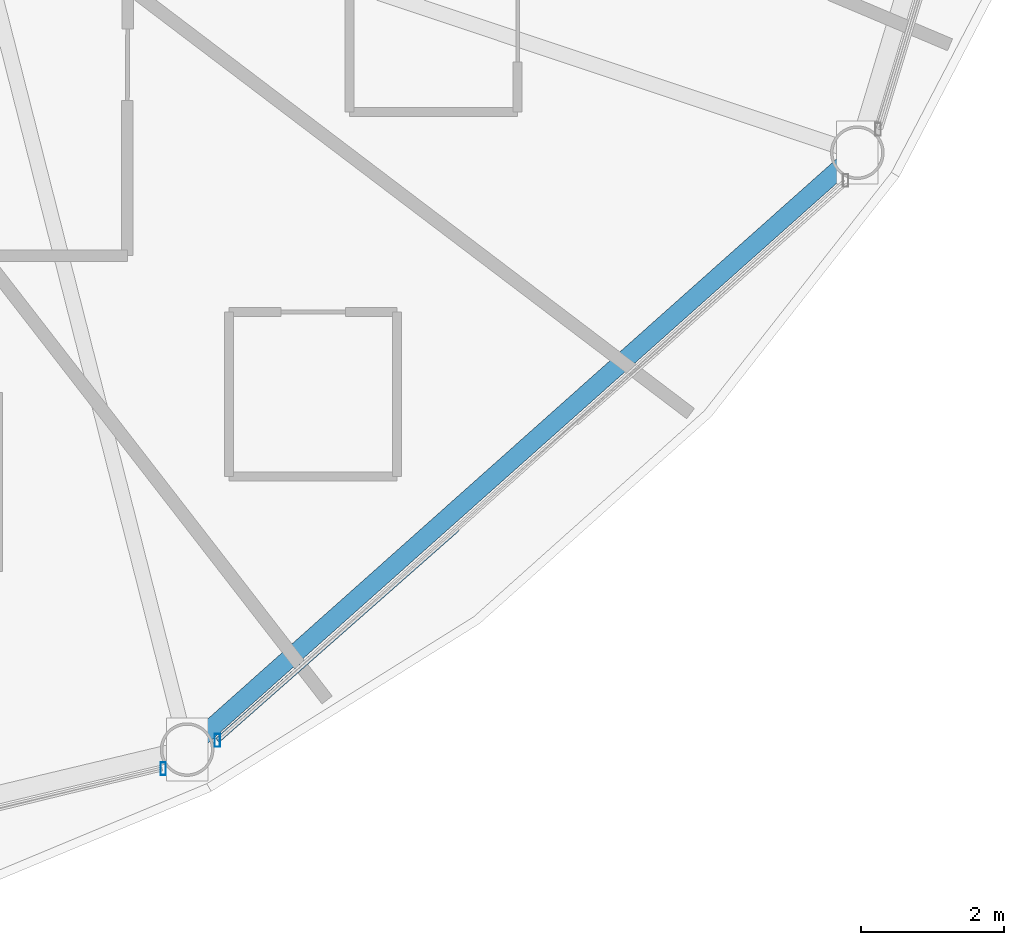
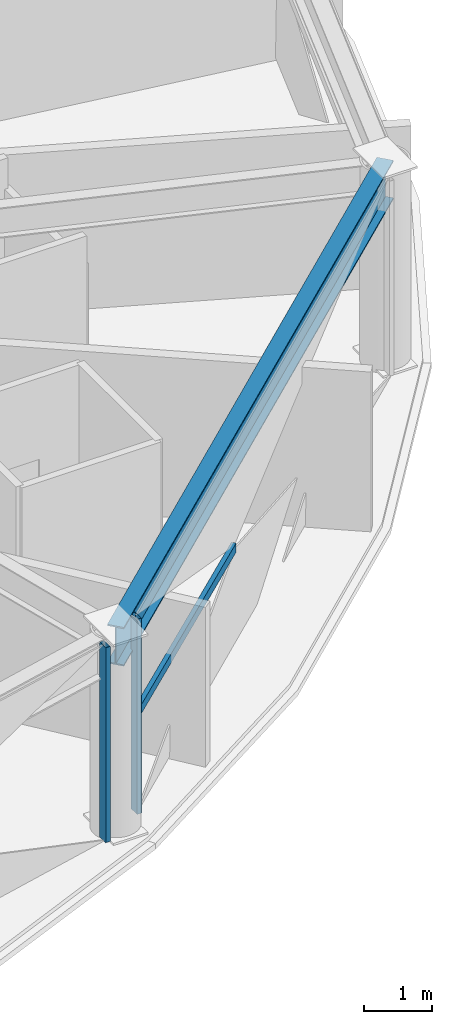
# One storey, part 9 of 32: 3 members, 1 beam, 2 elements without a shape of their own.
"""IFC4 building model written with IfcOpenShell, lengths in metres."""

import ifcopenshell
import ifcopenshell.guid

model = None  # the IFC model being written
_history = None  # IfcOwnerHistory: only IFC2X3 demands one
_inside = {}  # id of a spatial element -> (the spatial element, [elements in it])
_under = {}  # id of a project, library or spatial element -> (it, [spatial elements below it])
_declared = {}  # id of a project -> (the project, [libraries it declares])
_typed = {}  # id of a type object -> (the type object, [elements of that type])
_made_of = {}  # id of a material, layer set ... -> (it, [elements and type objects made of it])


def new_model(schema):
    """Start an empty IFC model of exactly this schema.

    Asked for "IFC4X3", IfcOpenShell would pick the latest addendum, in which some entities
    have other attributes; the version numbers below select the first issue.
    IFC2X3 requires an IfcOwnerHistory on every rooted entity: one is made here for all.
    """
    global model, _history
    if schema == "IFC4X3":
        model = ifcopenshell.file(schema_version=(4, 3, 0, 0))
    else:
        model = ifcopenshell.file(schema=schema)
    _inside.clear()
    _under.clear()
    _declared.clear()
    _typed.clear()
    _made_of.clear()
    _history = None
    if model.schema == "IFC2X3":
        org = make("IfcOrganization", Name="unknown")
        user = make(
            "IfcPersonAndOrganization",
            ThePerson=make("IfcPerson", FamilyName="unknown"),
            TheOrganization=org,
        )
        app = make(
            "IfcApplication",
            ApplicationDeveloper=org,
            Version="unknown",
            ApplicationFullName="unknown",
            ApplicationIdentifier="unknown",
        )
        _history = make(
            "IfcOwnerHistory",
            OwningUser=user,
            OwningApplication=app,
            ChangeAction="ADDED",
            CreationDate=0,
        )
    return model


def make(cls, **values):
    """One entity of the class cls with the attributes given. An attribute that is None is left unset."""
    return model.create_entity(
        cls, **{name: value for name, value in values.items() if value is not None}
    )


def rooted(cls, **values):
    """An entity with a GlobalId (a new one), such as an element, a storey or a relation."""
    return make(cls, GlobalId=ifcopenshell.guid.new(), OwnerHistory=_history, **values)


def si_unit(unit_type, name, prefix=None):
    """IfcSIUnit, for example si_unit("LENGTHUNIT", "METRE", prefix="MILLI")."""
    return make("IfcSIUnit", UnitType=unit_type, Prefix=prefix, Name=name)


def assignment(units):
    """IfcUnitAssignment: the units of a project."""
    return None if units is None else make("IfcUnitAssignment", Units=units)


def point(xyz):
    """IfcCartesianPoint."""
    return None if xyz is None else make("IfcCartesianPoint", Coordinates=xyz)


def direction(xyz):
    """IfcDirection."""
    return None if xyz is None else make("IfcDirection", DirectionRatios=xyz)


def frame(location, z_axis=None, x_axis=None):
    """IfcAxis2Placement3D, a coordinate frame: its origin and axes. An axis left out is left unset."""
    return make(
        "IfcAxis2Placement3D",
        Location=point(location),
        Axis=direction(z_axis),
        RefDirection=direction(x_axis),
    )


def frame_2d(location, x_axis=None):
    """IfcAxis2Placement2D, a coordinate frame in the plane: its origin and x axis."""
    return make(
        "IfcAxis2Placement2D", Location=point(location), RefDirection=direction(x_axis)
    )


def origin():
    """The frame at (0, 0, 0) with its axes left unset."""
    return frame((0.0, 0.0, 0.0))


def origin_2d():
    """The frame at (0, 0) in the plane with its x axis left unset."""
    return frame_2d((0.0, 0.0))


def place(relative_to, where):
    """IfcLocalPlacement: puts the frame where relative to a parent placement (None: the world)."""
    return make(
        "IfcLocalPlacement", PlacementRelTo=relative_to, RelativePlacement=where
    )


def context(
    kind, dimensions, precision=None, world=None, true_north=None, identifier=None
):
    """IfcGeometricRepresentationContext, for example the 3D "Model" context."""
    return make(
        "IfcGeometricRepresentationContext",
        ContextIdentifier=identifier,
        ContextType=kind,
        CoordinateSpaceDimension=dimensions,
        Precision=precision,
        WorldCoordinateSystem=world,
        TrueNorth=true_north,
    )


def subcontext(parent, identifier, kind, view, scale=None):
    """IfcGeometricRepresentationSubContext, for example "Body" below "Model"."""
    return make(
        "IfcGeometricRepresentationSubContext",
        ContextIdentifier=identifier,
        ContextType=kind,
        ParentContext=parent,
        TargetScale=scale,
        TargetView=view,
    )


def project(units=None, contexts=None):
    """IfcProject with its units and contexts."""
    return rooted(
        "IfcProject",
        Name="project",
        RepresentationContexts=contexts,
        UnitsInContext=assignment(units),
    )


def spatial(cls, under=None, at=None, **own):
    """A site, building, storey or space (cls), placed at a placement, below another one or the project."""
    s = rooted(cls, ObjectPlacement=at, **own)
    if under is not None:
        _under.setdefault(under.id(), (under, []))[1].append(s)
    return s


def profile(cls, at=None, kind="AREA", **sizes):
    """A parametric profile (cls). Its sizes go by their IFC names, for example OverallWidth=200.0."""
    return make(cls, ProfileType=kind, Position=at, **sizes)


def hollow_rectangle(**sizes):
    """IfcRectangleHollowProfileDef."""
    return profile("IfcRectangleHollowProfileDef", **sizes)


def i_section(**sizes):
    """IfcIShapeProfileDef."""
    return profile("IfcIShapeProfileDef", **sizes)


def extrude(swept, where, along, depth):
    """IfcExtrudedAreaSolid: the profile swept, set in the frame where, extruded along a direction by depth."""
    return make(
        "IfcExtrudedAreaSolid",
        SweptArea=swept,
        Position=where,
        ExtrudedDirection=direction(along),
        Depth=depth,
    )


def shape(context_of_items, identifier, shape_type, items):
    """IfcShapeRepresentation: the items that make up one representation, for example the "Body"."""
    return make(
        "IfcShapeRepresentation",
        ContextOfItems=context_of_items,
        RepresentationIdentifier=identifier,
        RepresentationType=shape_type,
        Items=items,
    )


def material(Name=None, Category=None):
    """IfcMaterial."""
    return make("IfcMaterial", Name=Name, Category=Category)


def layer(
    of_material, thickness, ventilated=None, Name=None, Category=None, Priority=None
):
    """IfcMaterialLayer: one layer of a wall or slab, of a material (None: an air gap)."""
    return make(
        "IfcMaterialLayer",
        Material=of_material,
        LayerThickness=thickness,
        IsVentilated=ventilated,
        Name=Name,
        Category=Category,
        Priority=Priority,
    )


def layer_set(layers, Name=None):
    """IfcMaterialLayerSet."""
    return make("IfcMaterialLayerSet", MaterialLayers=layers, LayerSetName=Name)


def material_profile(
    of_material, cross_section, Name=None, Category=None, Priority=None
):
    """IfcMaterialProfile: a cross section and its material."""
    return make(
        "IfcMaterialProfile",
        Name=Name,
        Material=of_material,
        Profile=cross_section,
        Priority=Priority,
        Category=Category,
    )


def profile_set(profiles, Name=None, composite=None):
    """IfcMaterialProfileSet."""
    return make(
        "IfcMaterialProfileSet",
        Name=Name,
        MaterialProfiles=profiles,
        CompositeProfile=composite,
    )


def made_of(thing, what):
    """Note that an element or type object is made of a material, layer set ...; save() writes the relation."""
    if what is not None:
        _made_of.setdefault(what.id(), (what, []))[1].append(thing)
    return thing


def type_object(cls, material=None, **own):
    """A type object (cls), such as IfcWallType, which elements share."""
    return made_of(rooted(cls, **own), material)


def element(
    cls,
    number,
    at=None,
    inside=None,
    cuts=None,
    type_object=None,
    material=None,
    context=None,
    identifier="Body",
    shape_type=None,
    held_by="IfcProductDefinitionShape",
    body=None,
    shapes=None,
    **own,
):
    """One element of the class cls, such as IfcWall. Its Tag is "e" and its number.

    at: its placement. inside: the storey or other place that contains it. cuts: it is an
    opening in that element (IfcRelVoidsElement). A single representation is given by context,
    identifier, shape_type and body (its items); several are given by shapes. held_by: the class
    of the entity that holds the representations. save() writes the other relations.
    """
    e = rooted(cls, Tag="e%d" % number, ObjectPlacement=at, **own)
    if body is not None:
        shapes = [shape(context, identifier, shape_type, body)]
    if shapes is not None:
        e.Representation = make(held_by, Representations=shapes)
    if inside is not None:
        _inside.setdefault(inside.id(), (inside, []))[1].append(e)
    if cuts is not None:
        rooted(
            "IfcRelVoidsElement", RelatingBuildingElement=cuts, RelatedOpeningElement=e
        )
    if type_object is not None:
        _typed.setdefault(type_object.id(), (type_object, []))[1].append(e)
    return made_of(e, material)


def aggregate(whole, parts):
    """IfcRelAggregates: a whole, such as a stair, and the parts it consists of."""
    return rooted("IfcRelAggregates", RelatingObject=whole, RelatedObjects=parts)


def save(model, path):
    """Write the relations noted so far, then the file.

    IfcRelAggregates (storeys below a building ...), IfcRelContainedInSpatialStructure (elements
    in a storey), IfcRelDefinesByType, IfcRelAssociatesMaterial and IfcRelDeclares: one each for
    every whole, place, type object, material and project.
    """
    for whole, parts in _under.values():
        aggregate(whole, parts)
    for where, things in _inside.values():
        rooted(
            "IfcRelContainedInSpatialStructure",
            RelatedElements=things,
            RelatingStructure=where,
        )
    for kind, things in _typed.values():
        rooted("IfcRelDefinesByType", RelatedObjects=things, RelatingType=kind)
    for what, things in _made_of.values():
        rooted("IfcRelAssociatesMaterial", RelatedObjects=things, RelatingMaterial=what)
    for by, libraries in _declared.values():
        rooted("IfcRelDeclares", RelatingContext=by, RelatedDefinitions=libraries)
    model.write(path)


model = new_model("IFC4")

# Units and contexts
model_context = context("Model", 3, precision=1e-05, world=origin(), true_north=direction((0.0, 1.0)))
body_context = subcontext(model_context, "Body", "Model", "MODEL_VIEW")
ifc_project = project(units=[si_unit("LENGTHUNIT", "METRE"), si_unit("AREAUNIT", "SQUARE_METRE"), si_unit("VOLUMEUNIT", "CUBIC_METRE"), si_unit("PLANEANGLEUNIT", "RADIAN"), si_unit("MASSUNIT", "GRAM", prefix="KILO")], contexts=[model_context])

# Site, building, storey
site_placement = place(None, origin())
site = spatial("IfcSite", under=ifc_project, at=site_placement, CompositionType="ELEMENT")
building_placement = place(site_placement, origin())
building = spatial("IfcBuilding", under=site, at=building_placement, Name="Vantalir Tower", CompositionType="ELEMENT")
storey_placement = place(building_placement, frame((0.0, 0.0, 108.449951171875)))
storey = spatial("IfcBuildingStorey", under=building, at=storey_placement, Name="L26", CompositionType="ELEMENT", Elevation=108.449951171875)

# Beam
ifc_material_1 = material(Name="Steel S460", Category="steel")
ifc_material_profile_1 = material_profile(ifc_material_1, i_section(OverallWidth=0.256103515625, OverallDepth=0.693115234375, WebThickness=0.014404296875, FlangeThickness=0.023681640625, at=origin_2d()), Name="Steel S460")
ifc_profile_set_1 = profile_set([ifc_material_profile_1], Name="Steel S460")
beam_type = type_object("IfcBeamType", Name="BM-RG-686x254", PredefinedType="USERDEFINED", material=ifc_profile_set_1)
beam_placement = place(storey_placement, frame((44.2939453125, 5.264892578125, 3.22314453125), z_axis=(0.746784993974, 0.665065540211, 0.0), x_axis=(-0.665065540211, 0.746784993974, 0.0)))
element("IfcBeam", 1, at=beam_placement, inside=storey, type_object=beam_type, Name="L26 Circumferential Ring Girder 11", ObjectType="GIRDER", PredefinedType="USERDEFINED", context=body_context, shape_type="SweptSolid", body=[
    extrude(i_section(OverallWidth=0.256103515625, OverallDepth=0.693115234375, WebThickness=0.014404296875, FlangeThickness=0.023681640625, at=origin_2d()), origin(), (0.0, 0.0, 1.0), 12.541748046875),
])

# Curtain wall, member
ifc_material_2 = material(Name="Champagne-silver PVDF aluminium and double-silver Low-E glass", Category="aluminium")
ifc_layer = layer(ifc_material_2, 0.199951171875)
ifc_layer_set = layer_set([ifc_layer], Name="Champagne-silver PVDF aluminium and double-silver Low-E glass")
curtain_wall_type = type_object("IfcCurtainWallType", Name="CW-DIAMOND-Z2", PredefinedType="USERDEFINED", material=ifc_layer_set)
curtain_wall_1_placement = place(storey_placement, origin())
curtain_wall_1 = element("IfcCurtainWall", 2, at=curtain_wall_1_placement, inside=storey, type_object=curtain_wall_type, Name="L26 Quilted Pyramid-Diamond Curtain Wall S10", ObjectType="UNITISED CURTAIN WALL", PredefinedType="USERDEFINED")
ifc_material_3 = material(Name="Champagne-silver PVDF aluminium 6063-T6", Category="aluminium")
ifc_material_profile_2 = material_profile(ifc_material_3, hollow_rectangle(XDim=0.074951171875, YDim=0.179931640625, WallThickness=0.00390625, at=origin_2d()), Name="Champagne-silver PVDF aluminium 6063-T6")
ifc_profile_set_2 = profile_set([ifc_material_profile_2], Name="Champagne-silver PVDF aluminium 6063-T6")
member_type_1 = type_object("IfcMemberType", Name="CWM-180x75", PredefinedType="MULLION", material=ifc_profile_set_2)
member_1_placement = place(storey_placement, frame((43.9609375, 4.998046875, 0.045166015625), z_axis=(0.0, 0.0, 1.0), x_axis=(1.0, 0.0, 0.0)))
member_1 = element("IfcMember", 3, at=member_1_placement, type_object=member_type_1, Name="CW-L26-S10 Mullion 2", PredefinedType="MULLION", context=body_context, shape_type="SweptSolid", body=[
    extrude(hollow_rectangle(XDim=0.074951171875, YDim=0.179931640625, WallThickness=0.00390625, at=origin_2d()), origin(), (0.0, 0.0, 1.0), 3.47998046875),
])
aggregate(curtain_wall_1, [member_1])

# Curtain wall, members
curtain_wall_2_placement = place(storey_placement, origin())
curtain_wall_2 = element("IfcCurtainWall", 4, at=curtain_wall_2_placement, inside=storey, type_object=curtain_wall_type, Name="L26 Quilted Pyramid-Diamond Curtain Wall S11", ObjectType="UNITISED CURTAIN WALL", PredefinedType="USERDEFINED")
member_2_placement = place(storey_placement, frame((44.717041015625, 5.39306640625, 0.045166015625), z_axis=(0.0, 0.0, 1.0), x_axis=(1.0, 0.0, 0.0)))
member_2 = element("IfcMember", 5, at=member_2_placement, type_object=member_type_1, Name="CW-L26-S11 Mullion 1", PredefinedType="MULLION", context=body_context, shape_type="SweptSolid", body=[
    extrude(hollow_rectangle(XDim=0.074951171875, YDim=0.179931640625, WallThickness=0.00390625, at=origin_2d()), origin(), (0.0, 0.0, 1.0), 3.47998046875),
])
ifc_material_profile_3 = material_profile(ifc_material_3, hollow_rectangle(XDim=0.074951171875, YDim=0.159912109375, WallThickness=0.00390625, at=origin_2d()), Name="Champagne-silver PVDF aluminium 6063-T6")
ifc_profile_set_3 = profile_set([ifc_material_profile_3], Name="Champagne-silver PVDF aluminium 6063-T6")
member_type_2 = type_object("IfcMemberType", Name="CWT-160x75", PredefinedType="USERDEFINED", material=ifc_profile_set_3)
member_3_placement = place(storey_placement, frame((44.717041015625, 5.39306640625, 1.78515625), z_axis=(0.750115126779, 0.661307263364, 0.0), x_axis=(-0.661307263364, 0.750115126779, 0.0)))
member_3 = element("IfcMember", 6, at=member_3_placement, type_object=member_type_2, Name="CW-L26-S11 Pyramid Fold Ridge Transom", ObjectType="TRANSOM", PredefinedType="USERDEFINED", context=body_context, shape_type="SweptSolid", body=[
    extrude(hollow_rectangle(XDim=0.074951171875, YDim=0.159912109375, WallThickness=0.00390625, at=origin_2d()), origin(), (0.0, 0.0, 1.0), 4.469970703125),
])
aggregate(curtain_wall_2, [member_2, member_3])

save(model, "model.ifc")
